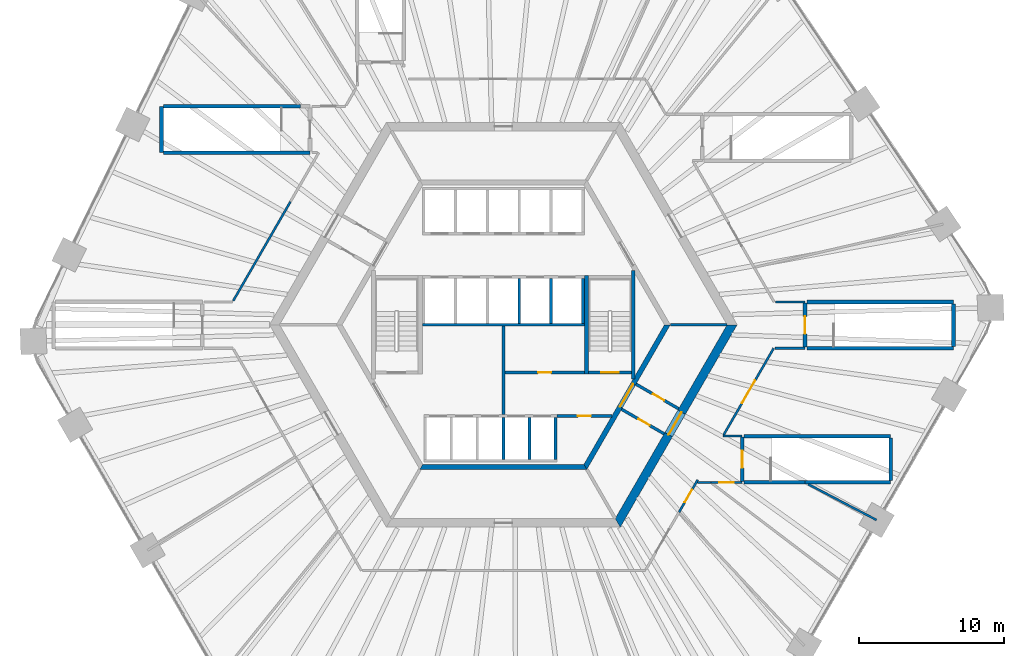
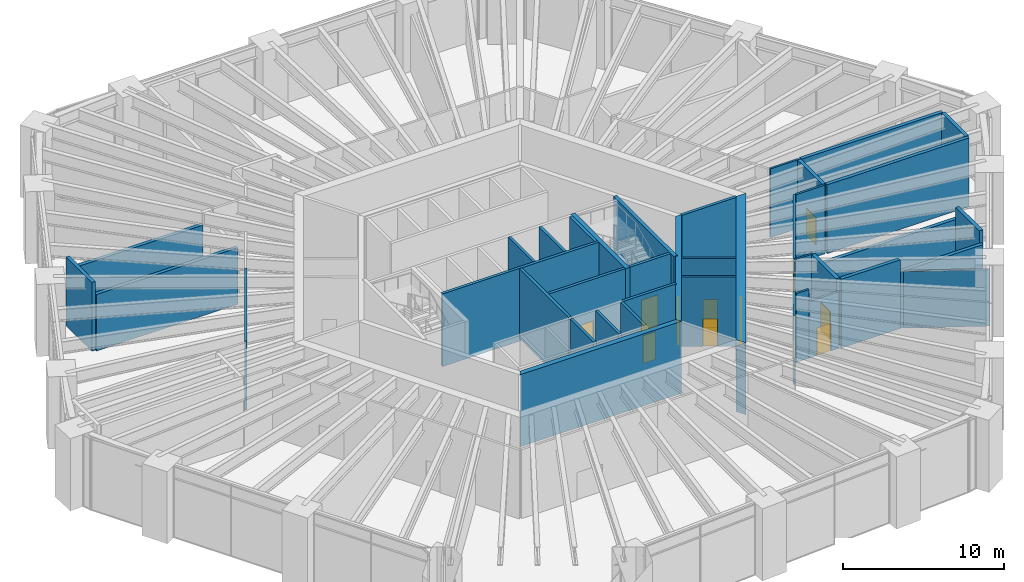
# One storey, part 21 of 25: 40 walls, 12 doors, 12 openings.
"""IFC4 building model written with IfcOpenShell, lengths in metres."""

import ifcopenshell
import ifcopenshell.guid

model = None  # the IFC model being written
_history = None  # IfcOwnerHistory: only IFC2X3 demands one
_inside = {}  # id of a spatial element -> (the spatial element, [elements in it])
_under = {}  # id of a project, library or spatial element -> (it, [spatial elements below it])
_declared = {}  # id of a project -> (the project, [libraries it declares])
_typed = {}  # id of a type object -> (the type object, [elements of that type])
_made_of = {}  # id of a material, layer set ... -> (it, [elements and type objects made of it])


def new_model(schema):
    """Start an empty IFC model of exactly this schema.

    Asked for "IFC4X3", IfcOpenShell would pick the latest addendum, in which some entities
    have other attributes; the version numbers below select the first issue.
    IFC2X3 requires an IfcOwnerHistory on every rooted entity: one is made here for all.
    """
    global model, _history
    if schema == "IFC4X3":
        model = ifcopenshell.file(schema_version=(4, 3, 0, 0))
    else:
        model = ifcopenshell.file(schema=schema)
    _inside.clear()
    _under.clear()
    _declared.clear()
    _typed.clear()
    _made_of.clear()
    _history = None
    if model.schema == "IFC2X3":
        org = make("IfcOrganization", Name="unknown")
        user = make(
            "IfcPersonAndOrganization",
            ThePerson=make("IfcPerson", FamilyName="unknown"),
            TheOrganization=org,
        )
        app = make(
            "IfcApplication",
            ApplicationDeveloper=org,
            Version="unknown",
            ApplicationFullName="unknown",
            ApplicationIdentifier="unknown",
        )
        _history = make(
            "IfcOwnerHistory",
            OwningUser=user,
            OwningApplication=app,
            ChangeAction="ADDED",
            CreationDate=0,
        )
    return model


def make(cls, **values):
    """One entity of the class cls with the attributes given. An attribute that is None is left unset."""
    return model.create_entity(
        cls, **{name: value for name, value in values.items() if value is not None}
    )


def rooted(cls, **values):
    """An entity with a GlobalId (a new one), such as an element, a storey or a relation."""
    return make(cls, GlobalId=ifcopenshell.guid.new(), OwnerHistory=_history, **values)


def si_unit(unit_type, name, prefix=None):
    """IfcSIUnit, for example si_unit("LENGTHUNIT", "METRE", prefix="MILLI")."""
    return make("IfcSIUnit", UnitType=unit_type, Prefix=prefix, Name=name)


def assignment(units):
    """IfcUnitAssignment: the units of a project."""
    return None if units is None else make("IfcUnitAssignment", Units=units)


def point(xyz):
    """IfcCartesianPoint."""
    return None if xyz is None else make("IfcCartesianPoint", Coordinates=xyz)


def direction(xyz):
    """IfcDirection."""
    return None if xyz is None else make("IfcDirection", DirectionRatios=xyz)


def frame(location, z_axis=None, x_axis=None):
    """IfcAxis2Placement3D, a coordinate frame: its origin and axes. An axis left out is left unset."""
    return make(
        "IfcAxis2Placement3D",
        Location=point(location),
        Axis=direction(z_axis),
        RefDirection=direction(x_axis),
    )


def frame_2d(location, x_axis=None):
    """IfcAxis2Placement2D, a coordinate frame in the plane: its origin and x axis."""
    return make(
        "IfcAxis2Placement2D", Location=point(location), RefDirection=direction(x_axis)
    )


def origin():
    """The frame at (0, 0, 0) with its axes left unset."""
    return frame((0.0, 0.0, 0.0))


def place(relative_to, where):
    """IfcLocalPlacement: puts the frame where relative to a parent placement (None: the world)."""
    return make(
        "IfcLocalPlacement", PlacementRelTo=relative_to, RelativePlacement=where
    )


def context(
    kind, dimensions, precision=None, world=None, true_north=None, identifier=None
):
    """IfcGeometricRepresentationContext, for example the 3D "Model" context."""
    return make(
        "IfcGeometricRepresentationContext",
        ContextIdentifier=identifier,
        ContextType=kind,
        CoordinateSpaceDimension=dimensions,
        Precision=precision,
        WorldCoordinateSystem=world,
        TrueNorth=true_north,
    )


def subcontext(parent, identifier, kind, view, scale=None):
    """IfcGeometricRepresentationSubContext, for example "Body" below "Model"."""
    return make(
        "IfcGeometricRepresentationSubContext",
        ContextIdentifier=identifier,
        ContextType=kind,
        ParentContext=parent,
        TargetScale=scale,
        TargetView=view,
    )


def project(units=None, contexts=None):
    """IfcProject with its units and contexts."""
    return rooted(
        "IfcProject",
        Name="project",
        RepresentationContexts=contexts,
        UnitsInContext=assignment(units),
    )


def spatial(cls, under=None, at=None, **own):
    """A site, building, storey or space (cls), placed at a placement, below another one or the project."""
    s = rooted(cls, ObjectPlacement=at, **own)
    if under is not None:
        _under.setdefault(under.id(), (under, []))[1].append(s)
    return s


def polyline(points):
    """IfcPolyline through the points."""
    return make("IfcPolyline", Points=[point(p) for p in points])


def profile(cls, at=None, kind="AREA", **sizes):
    """A parametric profile (cls). Its sizes go by their IFC names, for example OverallWidth=200.0."""
    return make(cls, ProfileType=kind, Position=at, **sizes)


def rectangle(**sizes):
    """IfcRectangleProfileDef."""
    return profile("IfcRectangleProfileDef", **sizes)


def outline(outer, holes=None, kind="AREA"):
    """IfcArbitraryClosedProfileDef: a profile drawn as a closed curve; with holes, ...WithVoids."""
    if holes is None:
        return make("IfcArbitraryClosedProfileDef", ProfileType=kind, OuterCurve=outer)
    return make(
        "IfcArbitraryProfileDefWithVoids",
        ProfileType=kind,
        OuterCurve=outer,
        InnerCurves=holes,
    )


def extrude(swept, where, along, depth):
    """IfcExtrudedAreaSolid: the profile swept, set in the frame where, extruded along a direction by depth."""
    return make(
        "IfcExtrudedAreaSolid",
        SweptArea=swept,
        Position=where,
        ExtrudedDirection=direction(along),
        Depth=depth,
    )


def shape(context_of_items, identifier, shape_type, items):
    """IfcShapeRepresentation: the items that make up one representation, for example the "Body"."""
    return make(
        "IfcShapeRepresentation",
        ContextOfItems=context_of_items,
        RepresentationIdentifier=identifier,
        RepresentationType=shape_type,
        Items=items,
    )


def material(Name=None, Category=None):
    """IfcMaterial."""
    return make("IfcMaterial", Name=Name, Category=Category)


def layer(
    of_material, thickness, ventilated=None, Name=None, Category=None, Priority=None
):
    """IfcMaterialLayer: one layer of a wall or slab, of a material (None: an air gap)."""
    return make(
        "IfcMaterialLayer",
        Material=of_material,
        LayerThickness=thickness,
        IsVentilated=ventilated,
        Name=Name,
        Category=Category,
        Priority=Priority,
    )


def layer_set(layers, Name=None):
    """IfcMaterialLayerSet."""
    return make("IfcMaterialLayerSet", MaterialLayers=layers, LayerSetName=Name)


def made_of(thing, what):
    """Note that an element or type object is made of a material, layer set ...; save() writes the relation."""
    if what is not None:
        _made_of.setdefault(what.id(), (what, []))[1].append(thing)
    return thing


def type_object(cls, material=None, **own):
    """A type object (cls), such as IfcWallType, which elements share."""
    return made_of(rooted(cls, **own), material)


def element(
    cls,
    number,
    at=None,
    inside=None,
    cuts=None,
    type_object=None,
    material=None,
    context=None,
    identifier="Body",
    shape_type=None,
    held_by="IfcProductDefinitionShape",
    body=None,
    shapes=None,
    **own,
):
    """One element of the class cls, such as IfcWall. Its Tag is "e" and its number.

    at: its placement. inside: the storey or other place that contains it. cuts: it is an
    opening in that element (IfcRelVoidsElement). A single representation is given by context,
    identifier, shape_type and body (its items); several are given by shapes. held_by: the class
    of the entity that holds the representations. save() writes the other relations.
    """
    e = rooted(cls, Tag="e%d" % number, ObjectPlacement=at, **own)
    if body is not None:
        shapes = [shape(context, identifier, shape_type, body)]
    if shapes is not None:
        e.Representation = make(held_by, Representations=shapes)
    if inside is not None:
        _inside.setdefault(inside.id(), (inside, []))[1].append(e)
    if cuts is not None:
        rooted(
            "IfcRelVoidsElement", RelatingBuildingElement=cuts, RelatedOpeningElement=e
        )
    if type_object is not None:
        _typed.setdefault(type_object.id(), (type_object, []))[1].append(e)
    return made_of(e, material)


def fill(opening, filler):
    """IfcRelFillsElement: the door or window that sits in an opening."""
    return rooted(
        "IfcRelFillsElement",
        RelatingOpeningElement=opening,
        RelatedBuildingElement=filler,
    )


def aggregate(whole, parts):
    """IfcRelAggregates: a whole, such as a stair, and the parts it consists of."""
    return rooted("IfcRelAggregates", RelatingObject=whole, RelatedObjects=parts)


def save(model, path):
    """Write the relations noted so far, then the file.

    IfcRelAggregates (storeys below a building ...), IfcRelContainedInSpatialStructure (elements
    in a storey), IfcRelDefinesByType, IfcRelAssociatesMaterial and IfcRelDeclares: one each for
    every whole, place, type object, material and project.
    """
    for whole, parts in _under.values():
        aggregate(whole, parts)
    for where, things in _inside.values():
        rooted(
            "IfcRelContainedInSpatialStructure",
            RelatedElements=things,
            RelatingStructure=where,
        )
    for kind, things in _typed.values():
        rooted("IfcRelDefinesByType", RelatedObjects=things, RelatingType=kind)
    for what, things in _made_of.values():
        rooted("IfcRelAssociatesMaterial", RelatedObjects=things, RelatingMaterial=what)
    for by, libraries in _declared.values():
        rooted("IfcRelDeclares", RelatingContext=by, RelatedDefinitions=libraries)
    model.write(path)


model = new_model("IFC4")

# Units and contexts
model_context = context("Model", 3, precision=1e-05, world=origin(), true_north=direction((0.0, 1.0)))
body_context = subcontext(model_context, "Body", "Model", "MODEL_VIEW")
ifc_project = project(units=[si_unit("LENGTHUNIT", "METRE"), si_unit("AREAUNIT", "SQUARE_METRE"), si_unit("VOLUMEUNIT", "CUBIC_METRE"), si_unit("PLANEANGLEUNIT", "RADIAN"), si_unit("MASSUNIT", "GRAM", prefix="KILO")], contexts=[model_context])

# Site, building, storey
site_placement = place(None, origin())
site = spatial("IfcSite", under=ifc_project, at=site_placement, CompositionType="ELEMENT")
building_placement = place(site_placement, origin())
building = spatial("IfcBuilding", under=site, at=building_placement, Name="Tarnside Tower", CompositionType="ELEMENT")
storey_placement = place(building_placement, frame((0.0, 0.0, 26.0)))
storey = spatial("IfcBuildingStorey", under=building, at=storey_placement, Name="L04", CompositionType="ELEMENT", Elevation=26.0)

# Wall
ifc_material_1 = material(Name="Concrete C50/60", Category="concrete")
ifc_layer_1 = layer(ifc_material_1, 0.35009765625)
ifc_layer_set_1 = layer_set([ifc_layer_1], Name="Core block wall 350 C50/60")
wall_type_1 = type_object("IfcWallType", Name="Core block wall 350 C50/60", PredefinedType="SHEAR", material=ifc_layer_set_1)
wall_1_placement = place(storey_placement, frame((-5.672607421875, -9.824951171875, -0.25), z_axis=(0.0, 0.0, 1.0), x_axis=(1.0, 0.0, 0.0)))
element("IfcWall", 1, at=wall_1_placement, inside=storey, type_object=wall_type_1, Name="L04 core block wall face 4", PredefinedType="SHEAR", context=body_context, shape_type="SweptSolid", body=[
    extrude(outline(polyline([(-0.10107421875, -0.175048828125), (11.4462890625, -0.175048828125), (11.244140625, 0.175048828125), (0.10107421875, 0.175048828125), (-0.10107421875, -0.175048828125)])), origin(), (0.0, 0.0, 1.0), 5.449951171875),
])

# Wall, opening, door
wall_2_placement = place(storey_placement, frame((5.672607421875, -9.824951171875, -0.25), z_axis=(0.0, 0.0, 1.0), x_axis=(0.499995046907, 0.866028263435, 0.0)))
wall_2 = element("IfcWall", 2, at=wall_2_placement, inside=storey, type_object=wall_type_1, Name="L04 core block wall face 5", PredefinedType="SHEAR", context=body_context, shape_type="SweptSolid", body=[
    extrude(outline(polyline([(-0.10107421875, -0.175048828125), (11.44580078125, -0.175048828125), (11.24365234375, 0.175048828125), (0.10107421875, 0.175048828125), (-0.10107421875, -0.175048828125)])), origin(), (0.0, 0.0, 1.0), 5.449951171875),
])
opening_1_placement = place(wall_2_placement, frame((4.80126953125, 0.0, 0.25)))
opening_1 = element("IfcOpeningElement", 3, at=opening_1_placement, cuts=wall_2, Name="Opening CD-FFL", PredefinedType="OPENING", context=body_context, shape_type="SweptSolid", body=[
    extrude(rectangle(XDim=1.800048828125, YDim=2.39990234375, at=frame_2d((0.89990234375, 1.199951171875))), frame((0.0, 0.18505859375, 0.0), z_axis=(0.0, -1.0, 0.0), x_axis=(1.0, 0.0, 0.0)), (0.0, 0.0, 1.0), 0.3701171875),
])
ifc_material_2 = material(Name="Steel fire door", Category="steel")
door_type_1 = type_object("IfcDoorType", Name="Firefighting lobby double door FD60S 1800x2400", OperationType="NOTDEFINED", PredefinedType="DOOR", material=ifc_material_2)
door_1_placement = place(opening_1_placement, origin())
door_1 = element("IfcDoor", 4, at=door_1_placement, inside=storey, type_object=door_type_1, Name="L04 lobby block door P4", OperationType="DOUBLE_DOOR_SINGLE_SWING", OverallHeight=2.39990234375, OverallWidth=1.800048828125, PredefinedType="DOOR", context=body_context, shape_type="SweptSolid", body=[
    extrude(rectangle(XDim=1.800048828125, YDim=2.39990234375, at=frame_2d((0.89990234375, 1.199951171875))), frame((0.0, 0.02490234375, 0.0), z_axis=(0.0, -1.0, 0.0), x_axis=(1.0, 0.0, 0.0)), (0.0, 0.0, 1.0), 0.050048828125),
])
fill(opening_1, door_1)

ifc_material_3 = material(Name="Concrete C40/50", Category="concrete")
ifc_layer_2 = layer(ifc_material_3, 0.199951171875)
ifc_layer_set_2 = layer_set([ifc_layer_2], Name="Core room partition 200 C40/50")
wall_type_2 = type_object("IfcWallType", Name="Core room partition 200 C40/50", PredefinedType="PARTITIONING", material=ifc_layer_set_2)
wall_3_placement = place(storey_placement, frame((0.10009765625, -3.300048828125, 0.0), z_axis=(0.0, 0.0, 1.0), x_axis=(1.0, 0.0, 0.0)))
wall_3 = element("IfcWall", 5, at=wall_3_placement, inside=storey, type_object=wall_type_2, Name="L04 core partition R3S1", PredefinedType="PARTITIONING", context=body_context, shape_type="SweptSolid", body=[
    extrude(rectangle(XDim=5.5, YDim=0.199951171875, at=frame_2d((2.75, 0.0))), origin(), (0.0, 0.0, 1.0), 5.25),
])
opening_2_placement = place(wall_3_placement, frame((2.300048828125, 0.0, 0.0)))
opening_2 = element("IfcOpeningElement", 6, at=opening_2_placement, cuts=wall_3, Name="Opening CD-room", PredefinedType="OPENING", context=body_context, shape_type="SweptSolid", body=[
    extrude(rectangle(XDim=0.89990234375, YDim=2.10009765625, at=frame_2d((0.449951171875, 1.050048828125))), frame((0.0, 0.10986328125, 0.0), z_axis=(0.0, -1.0, 0.0), x_axis=(1.0, 0.0, 0.0)), (0.0, 0.0, 1.0), 0.219970703125),
])
door_type_2 = type_object("IfcDoorType", Name="Room door FD60 900x2100", OperationType="NOTDEFINED", PredefinedType="DOOR", material=ifc_material_2)
door_2_placement = place(opening_2_placement, origin())
door_2 = element("IfcDoor", 7, at=door_2_placement, inside=storey, type_object=door_type_2, Name="L04 core room door SR1", OperationType="SINGLE_SWING_LEFT", OverallHeight=2.10009765625, OverallWidth=0.89990234375, PredefinedType="DOOR", context=body_context, shape_type="SweptSolid", body=[
    extrude(rectangle(XDim=0.89990234375, YDim=2.10009765625, at=frame_2d((0.449951171875, 1.050048828125))), frame((0.0, 0.02490234375, 0.0), z_axis=(0.0, -1.0, 0.0), x_axis=(1.0, 0.0, 0.0)), (0.0, 0.0, 1.0), 0.050048828125),
])
fill(opening_2, door_2)

# Wall
wall_4_placement = place(storey_placement, frame((0.0, -6.199951171875, 0.0), z_axis=(0.0, 0.0, 1.0), x_axis=(0.0, 1.0, 0.0)))
element("IfcWall", 8, at=wall_4_placement, inside=storey, type_object=wall_type_2, Name="L04 core partition X0", PredefinedType="PARTITIONING", context=body_context, shape_type="SweptSolid", body=[
    extrude(rectangle(XDim=6.099853515625, YDim=0.199951171875, at=frame_2d((3.0498046875, 0.0))), origin(), (0.0, 0.0, 1.0), 5.25),
])

# Wall, opening, door
wall_5_placement = place(storey_placement, frame((3.699951171875, -6.300048828125, 0.0), z_axis=(0.0, 0.0, 1.0), x_axis=(1.0, 0.0, 0.0)))
wall_5 = element("IfcWall", 9, at=wall_5_placement, inside=storey, type_object=wall_type_2, Name="L04 core partition R4X", PredefinedType="PARTITIONING", context=body_context, shape_type="SweptSolid", body=[
    extrude(rectangle(XDim=3.8056640625, YDim=0.199951171875, at=frame_2d((1.90283203125, 0.0))), origin(), (0.0, 0.0, 1.0), 5.25),
])
opening_3_placement = place(wall_5_placement, frame((1.452880859375, 0.0, 0.0)))
opening_3 = element("IfcOpeningElement", 10, at=opening_3_placement, cuts=wall_5, Name="Opening CD-room", PredefinedType="OPENING", context=body_context, shape_type="SweptSolid", body=[
    extrude(rectangle(XDim=0.89990234375, YDim=2.10009765625, at=frame_2d((0.449951171875, 1.050048828125))), frame((0.0, 0.10986328125, 0.0), z_axis=(0.0, -1.0, 0.0), x_axis=(1.0, 0.0, 0.0)), (0.0, 0.0, 1.0), 0.219970703125),
])
door_3_placement = place(opening_3_placement, origin())
door_3 = element("IfcDoor", 11, at=door_3_placement, inside=storey, type_object=door_type_2, Name="L04 core room door RX", OperationType="SINGLE_SWING_LEFT", OverallHeight=2.10009765625, OverallWidth=0.89990234375, PredefinedType="DOOR", context=body_context, shape_type="SweptSolid", body=[
    extrude(rectangle(XDim=0.89990234375, YDim=2.10009765625, at=frame_2d((0.449951171875, 1.050048828125))), frame((0.0, 0.02490234375, 0.0), z_axis=(0.0, -1.0, 0.0), x_axis=(1.0, 0.0, 0.0)), (0.0, 0.0, 1.0), 0.050048828125),
])
fill(opening_3, door_3)

wall_6_placement = place(storey_placement, frame((9.1748046875, -4.10888671875, 0.0), z_axis=(0.0, 0.0, 1.0), x_axis=(0.865989465428, -0.500062241894, 0.0)))
wall_6 = element("IfcWall", 12, at=wall_6_placement, inside=storey, type_object=wall_type_2, Name="L04 core partition AC4L", PredefinedType="PARTITIONING", context=body_context, shape_type="SweptSolid", body=[
    extrude(rectangle(XDim=3.39990234375, YDim=0.199951171875, at=frame_2d((1.699951171875, 0.0))), origin(), (0.0, 0.0, 1.0), 5.25),
])
opening_4_placement = place(wall_6_placement, frame((1.3505859375, 0.0, 0.0)))
opening_4 = element("IfcOpeningElement", 13, at=opening_4_placement, cuts=wall_6, Name="Opening CD-room", PredefinedType="OPENING", context=body_context, shape_type="SweptSolid", body=[
    extrude(rectangle(XDim=0.89990234375, YDim=2.10009765625, at=frame_2d((0.449951171875, 1.050048828125))), frame((0.0, 0.10986328125, 0.0), z_axis=(0.0, -1.0, 0.0), x_axis=(1.0, 0.0, 0.0)), (0.0, 0.0, 1.0), 0.219970703125),
])
door_4_placement = place(opening_4_placement, origin())
door_4 = element("IfcDoor", 14, at=door_4_placement, inside=storey, type_object=door_type_2, Name="L04 core room door AX4L", OperationType="SINGLE_SWING_LEFT", OverallHeight=2.10009765625, OverallWidth=0.89990234375, PredefinedType="DOOR", context=body_context, shape_type="SweptSolid", body=[
    extrude(rectangle(XDim=0.89990234375, YDim=2.10009765625, at=frame_2d((0.449951171875, 1.050048828125))), frame((0.0, 0.02490234375, 0.0), z_axis=(0.0, -1.0, 0.0), x_axis=(1.0, 0.0, 0.0)), (0.0, 0.0, 1.0), 0.050048828125),
])
fill(opening_4, door_4)

wall_7_placement = place(storey_placement, frame((8.1748046875, -5.841064453125, 0.0), z_axis=(0.0, 0.0, 1.0), x_axis=(0.866020560687, -0.500008388397, 0.0)))
wall_7 = element("IfcWall", 15, at=wall_7_placement, inside=storey, type_object=wall_type_2, Name="L04 core partition AC4R", PredefinedType="PARTITIONING", context=body_context, shape_type="SweptSolid", body=[
    extrude(rectangle(XDim=3.39990234375, YDim=0.199951171875, at=frame_2d((1.699951171875, 0.0))), origin(), (0.0, 0.0, 1.0), 5.25),
])
opening_5_placement = place(wall_7_placement, frame((1.349609375, 0.0, 0.0)))
opening_5 = element("IfcOpeningElement", 16, at=opening_5_placement, cuts=wall_7, Name="Opening CD-room", PredefinedType="OPENING", context=body_context, shape_type="SweptSolid", body=[
    extrude(rectangle(XDim=0.89990234375, YDim=2.10009765625, at=frame_2d((0.449951171875, 1.050048828125))), frame((0.0, 0.10986328125, 0.0), z_axis=(0.0, -1.0, 0.0), x_axis=(1.0, 0.0, 0.0)), (0.0, 0.0, 1.0), 0.219970703125),
])
door_5_placement = place(opening_5_placement, origin())
door_5 = element("IfcDoor", 17, at=door_5_placement, inside=storey, type_object=door_type_2, Name="L04 core room door AX4R", OperationType="SINGLE_SWING_LEFT", OverallHeight=2.10009765625, OverallWidth=0.89990234375, PredefinedType="DOOR", context=body_context, shape_type="SweptSolid", body=[
    extrude(rectangle(XDim=0.89990234375, YDim=2.10009765625, at=frame_2d((0.449951171875, 1.050048828125))), frame((0.0, 0.02490234375, 0.0), z_axis=(0.0, -1.0, 0.0), x_axis=(1.0, 0.0, 0.0)), (0.0, 0.0, 1.0), 0.050048828125),
])
fill(opening_5, door_5)

ifc_material_4 = material(Name="Concrete C80/95", Category="concrete")
ifc_layer_3 = layer(ifc_material_4, 0.60009765625)
ifc_layer_set_3 = layer_set([ifc_layer_3], Name="Core wall Z1 600 C80/95")
wall_type_3 = type_object("IfcWallType", Name="Core wall Z1 600 C80/95", PredefinedType="SHEAR", material=ifc_layer_set_3)
wall_8_placement = place(storey_placement, frame((7.90966796875, -13.699951171875, -0.25), z_axis=(0.0, 0.0, 1.0), x_axis=(0.499999880136, 0.866025472988, 0.0)))
wall_8 = element("IfcWall", 18, at=wall_8_placement, inside=storey, type_object=wall_type_3, Name="L04 core wall face 5", PredefinedType="SHEAR", context=body_context, shape_type="SweptSolid", body=[
    extrude(outline(polyline([(-0.17333984375, -0.300048828125), (15.99267578125, -0.300048828125), (15.64599609375, 0.300048828125), (0.17333984375, 0.300048828125), (-0.17333984375, -0.300048828125)])), origin(), (0.0, 0.0, 1.0), 5.449951171875),
])
opening_6_placement = place(wall_8_placement, frame((7.03857421875, 0.0, 0.25)))
opening_6 = element("IfcOpeningElement", 19, at=opening_6_placement, cuts=wall_8, Name="Opening CD-FFL", PredefinedType="OPENING", context=body_context, shape_type="SweptSolid", body=[
    extrude(rectangle(XDim=1.800048828125, YDim=2.39990234375, at=frame_2d((0.89990234375, 1.199951171875))), frame((0.0, 0.31005859375, 0.0), z_axis=(0.0, -1.0, 0.0), x_axis=(1.0, 0.0, 0.0)), (0.0, 0.0, 1.0), 0.6201171875),
])
door_6_placement = place(opening_6_placement, origin())
door_6 = element("IfcDoor", 20, at=door_6_placement, inside=storey, type_object=door_type_1, Name="L04 core door P4", OperationType="DOUBLE_DOOR_SINGLE_SWING", OverallHeight=2.39990234375, OverallWidth=1.800048828125, PredefinedType="DOOR", context=body_context, shape_type="SweptSolid", body=[
    extrude(rectangle(XDim=1.800048828125, YDim=2.39990234375, at=frame_2d((0.89990234375, 1.199951171875))), frame((0.0, 0.02490234375, 0.0), z_axis=(0.0, -1.0, 0.0), x_axis=(1.0, 0.0, 0.0)), (0.0, 0.0, 1.0), 0.050048828125),
])
fill(opening_6, door_6)

# Walls
ifc_layer_4 = layer(ifc_material_3, 0.199951171875)
ifc_layer_set_4 = layer_set([ifc_layer_4], Name="Lift shaft wall 200 C40/50")
wall_type_4 = type_object("IfcWallType", Name="Lift shaft wall 200 C40/50", PredefinedType="SHEAR", material=ifc_layer_set_4)
wall_9_placement = place(storey_placement, frame((-5.60009765625, 0.0, -0.25), z_axis=(0.0, 0.0, 1.0), x_axis=(1.0, 0.0, 0.0)))
element("IfcWall", 21, at=wall_9_placement, inside=storey, type_object=wall_type_4, Name="L04 lift shaft back wall R2", PredefinedType="SHEAR", context=body_context, shape_type="SweptSolid", body=[
    extrude(rectangle(XDim=11.2001953125, YDim=0.199951171875, at=frame_2d((5.60009765625, 0.0))), origin(), (0.0, 0.0, 1.0), 5.5),
])
for number, where, z_axis, x_axis, name in (
    (22, (1.10009765625, 0.10009765625, -0.25), (0.0, 0.0, 1.0), (0.0, 1.0, 0.0), "L04 lift shaft partition R24"),
    (23, (3.300048828125, 0.10009765625, -0.25), (0.0, 0.0, 1.0), (0.0, 1.0, 0.0), "L04 lift shaft partition R25"),
    (24, (5.5, 0.10009765625, -0.25), (0.0, 0.0, 1.0), (0.0, 1.0, 0.0), "L04 lift shaft partition R26"),
):
    element("IfcWall", number, at=place(storey_placement, frame(where, z_axis=z_axis, x_axis=x_axis)), inside=storey, type_object=wall_type_4, Name=name, PredefinedType="SHEAR", context=body_context, shape_type="SweptSolid", body=[
        extrude(rectangle(XDim=3.099853515625, YDim=0.199951171875, at=frame_2d((1.5498046875, 0.0))), origin(), (0.0, 0.0, 1.0), 5.5),
    ])
for number, where, z_axis, x_axis, name in (
    (25, (0.0, -9.300048828125, -0.25), (0.0, 0.0, 1.0), (0.0, 1.0, 0.0), "L04 lift shaft partition R44"),
    (26, (1.800048828125, -9.300048828125, -0.25), (0.0, 0.0, 1.0), (0.0, 1.0, 0.0), "L04 lift shaft partition R45"),
    (27, (3.60009765625, -9.300048828125, -0.25), (0.0, 0.0, 1.0), (0.0, 1.0, 0.0), "L04 lift shaft partition R46"),
):
    element("IfcWall", number, at=place(storey_placement, frame(where, z_axis=z_axis, x_axis=x_axis)), inside=storey, type_object=wall_type_4, Name=name, PredefinedType="SHEAR", context=body_context, shape_type="SweptSolid", body=[
        extrude(rectangle(XDim=2.900146484375, YDim=0.199951171875, at=frame_2d((1.4501953125, 0.0))), origin(), (0.0, 0.0, 1.0), 5.5),
    ])
wall_10_placement = place(storey_placement, frame((11.547119140625, 0.0, -0.25), z_axis=(0.0, 0.0, 1.0), x_axis=(1.0, 0.0, 0.0)))
element("IfcWall", 28, at=wall_10_placement, inside=storey, type_object=wall_type_4, Name="L04 core partition AR0", PredefinedType="SHEAR", context=body_context, shape_type="SweptSolid", body=[
    extrude(rectangle(XDim=3.92578125, YDim=0.199951171875, at=frame_2d((1.962890625, 0.0))), origin(), (0.0, 0.0, 1.0), 5.449951171875),
])

# Wall, opening, door
wall_11_placement = place(storey_placement, frame((5.89990234375, -3.300048828125, -0.25), z_axis=(0.0, 0.0, 1.0), x_axis=(1.0, 0.0, 0.0)))
wall_11 = element("IfcWall", 29, at=wall_11_placement, inside=storey, type_object=wall_type_4, Name="L04 stair 1 enclosure cap wall s", PredefinedType="SHEAR", context=body_context, shape_type="SweptSolid", body=[
    extrude(rectangle(XDim=2.9501953125, YDim=0.199951171875, at=frame_2d((1.47509765625, 0.0))), origin(), (0.0, 0.0, 1.0), 5.5),
])
opening_7_placement = place(wall_11_placement, frame((0.875, 0.0, 0.25)))
opening_7 = element("IfcOpeningElement", 30, at=opening_7_placement, cuts=wall_11, Name="Opening CD-STR", PredefinedType="OPENING", context=body_context, shape_type="SweptSolid", body=[
    extrude(rectangle(XDim=1.199951171875, YDim=2.39990234375, at=frame_2d((0.60009765625, 1.199951171875))), frame((0.0, 0.10986328125, 0.0), z_axis=(0.0, -1.0, 0.0), x_axis=(1.0, 0.0, 0.0)), (0.0, 0.0, 1.0), 0.219970703125),
])
door_type_3 = type_object("IfcDoorType", Name="Stair door FD60S 1200x2400", OperationType="NOTDEFINED", PredefinedType="DOOR", material=ifc_material_2)
door_7_placement = place(opening_7_placement, origin())
door_7 = element("IfcDoor", 31, at=door_7_placement, inside=storey, type_object=door_type_3, Name="L04 stair 1 door", OperationType="SINGLE_SWING_LEFT", OverallHeight=2.39990234375, OverallWidth=1.199951171875, PredefinedType="DOOR", context=body_context, shape_type="SweptSolid", body=[
    extrude(rectangle(XDim=1.199951171875, YDim=2.39990234375, at=frame_2d((0.60009765625, 1.199951171875))), frame((0.0, 0.02490234375, 0.0), z_axis=(0.0, -1.0, 0.0), x_axis=(1.0, 0.0, 0.0)), (0.0, 0.0, 1.0), 0.050048828125),
])
fill(opening_7, door_7)

# Wall
ifc_material_5 = material(Name="Gypsum board")
ifc_layer_5 = layer(ifc_material_5, 0.14990234375)
ifc_layer_set_5 = layer_set([ifc_layer_5], Name="Partition 150 gypsum board on metal stud")
wall_type_5 = type_object("IfcWallType", Name="Partition 150 gypsum board on metal stud", PredefinedType="PARTITIONING", material=ifc_layer_set_5)
wall_12_placement = place(storey_placement, frame((-14.722900390625, 8.5, 0.0), z_axis=(0.0, 0.0, 1.0), x_axis=(-0.499993197506, -0.86602933117, 0.0)))
element("IfcWall", 32, at=wall_12_placement, inside=storey, type_object=wall_type_5, Name="Partition 013", PredefinedType="PARTITIONING", context=body_context, shape_type="SweptSolid", body=[
    extrude(rectangle(XDim=7.90966796875, YDim=0.14990234375, at=frame_2d((3.954833984375, 0.0))), origin(), (0.0, 0.0, 1.0), 5.199951171875),
])

# Wall, opening, door
wall_13_placement = place(storey_placement, frame((13.43994140625, -10.720947265625, 0.0), z_axis=(0.0, 0.0, 1.0), x_axis=(-0.499959617396, -0.866048717436, 0.0)))
wall_13 = element("IfcWall", 33, at=wall_13_placement, inside=storey, type_object=wall_type_5, Name="Partition 044", PredefinedType="PARTITIONING", context=body_context, shape_type="SweptSolid", body=[
    extrude(rectangle(XDim=2.584228515625, YDim=0.14990234375, at=frame_2d((1.2919921875, 0.0))), origin(), (0.0, 0.0, 1.0), 5.199951171875),
])
opening_8_placement = place(wall_13_placement, frame((0.7919921875, 0.0, 0.0)))
opening_8 = element("IfcOpeningElement", 34, at=opening_8_placement, cuts=wall_13, Name="Opening D1000", PredefinedType="OPENING", context=body_context, shape_type="SweptSolid", body=[
    extrude(rectangle(XDim=1.0, YDim=2.10009765625, at=frame_2d((0.5, 1.050048828125))), frame((0.0, 0.0849609375, 0.0), z_axis=(0.0, -1.0, 0.0), x_axis=(1.0, 0.0, 0.0)), (0.0, 0.0, 1.0), 0.169921875),
])
ifc_material_6 = material(Name="Timber door leaf", Category="wood")
door_type_4 = type_object("IfcDoorType", Name="Door 1000 x 2100 single leaf", OperationType="NOTDEFINED", PredefinedType="DOOR", material=ifc_material_6)
door_8_placement = place(opening_8_placement, origin())
door_8 = element("IfcDoor", 35, at=door_8_placement, inside=storey, type_object=door_type_4, Name="Door L04-14", OperationType="SINGLE_SWING_LEFT", OverallHeight=2.10009765625, OverallWidth=1.0, PredefinedType="DOOR", context=body_context, shape_type="SweptSolid", body=[
    extrude(rectangle(XDim=1.0, YDim=2.10009765625, at=frame_2d((0.5, 1.050048828125))), frame((0.0, 0.02490234375, 0.0), z_axis=(0.0, -1.0, 0.0), x_axis=(1.0, 0.0, 0.0)), (0.0, 0.0, 1.0), 0.050048828125),
])
fill(opening_8, door_8)

# Walls
wall_14_placement = place(storey_placement, frame((14.360107421875, -10.89990234375, 0.0), z_axis=(0.0, 0.0, 1.0), x_axis=(-1.0, 0.0, 0.0)))
element("IfcWall", 36, at=wall_14_placement, inside=storey, type_object=wall_type_5, Name="Partition 049", PredefinedType="PARTITIONING", context=body_context, shape_type="SweptSolid", body=[
    extrude(rectangle(XDim=0.920166015625, YDim=0.14990234375, at=frame_2d((0.4599609375, 0.0))), origin(), (0.0, 0.0, 1.0), 5.199951171875),
])
wall_15_placement = place(storey_placement, frame((15.18408203125, -7.699951171875, 0.0), z_axis=(0.0, 0.0, 1.0), x_axis=(1.0, 0.0, 0.0)))
element("IfcWall", 37, at=wall_15_placement, inside=storey, type_object=wall_type_5, Name="Partition 051", PredefinedType="PARTITIONING", context=body_context, shape_type="SweptSolid", body=[
    extrude(rectangle(XDim=1.330810546875, YDim=0.14990234375, at=frame_2d((0.66552734375, 0.0))), origin(), (0.0, 0.0, 1.0), 5.199951171875),
])

# Wall, opening, door
wall_16_placement = place(storey_placement, frame((18.69189453125, -1.625, 0.0), z_axis=(0.0, 0.0, 1.0), x_axis=(-0.500053906551, -0.865994278585, 0.0)))
wall_16 = element("IfcWall", 38, at=wall_16_placement, inside=storey, type_object=wall_type_5, Name="Partition 052", PredefinedType="PARTITIONING", context=body_context, shape_type="SweptSolid", body=[
    extrude(rectangle(XDim=6.928466796875, YDim=0.14990234375, at=frame_2d((3.46435546875, 0.0))), origin(), (0.0, 0.0, 1.0), 5.199951171875),
])
opening_9_placement = place(wall_16_placement, frame((2.564208984375, 0.0, 0.0)))
opening_9 = element("IfcOpeningElement", 39, at=opening_9_placement, cuts=wall_16, Name="Opening D1800F30", PredefinedType="OPENING", context=body_context, shape_type="SweptSolid", body=[
    extrude(rectangle(XDim=1.800048828125, YDim=2.10009765625, at=frame_2d((0.89990234375, 1.050048828125))), frame((0.0, 0.0849609375, 0.0), z_axis=(0.0, -1.0, 0.0), x_axis=(1.0, 0.0, 0.0)), (0.0, 0.0, 1.0), 0.169921875),
])
door_type_5 = type_object("IfcDoorType", Name="Door pair 1800 x 2100 FD30S fire door", OperationType="NOTDEFINED", PredefinedType="DOOR", material=ifc_material_6)
door_9_placement = place(opening_9_placement, origin())
door_9 = element("IfcDoor", 40, at=door_9_placement, inside=storey, type_object=door_type_5, Name="Door L04-16", OperationType="DOUBLE_DOOR_SINGLE_SWING", OverallHeight=2.10009765625, OverallWidth=1.800048828125, PredefinedType="DOOR", context=body_context, shape_type="SweptSolid", body=[
    extrude(rectangle(XDim=1.800048828125, YDim=2.10009765625, at=frame_2d((0.89990234375, 1.050048828125))), frame((0.0, 0.02490234375, 0.0), z_axis=(0.0, -1.0, 0.0), x_axis=(1.0, 0.0, 0.0)), (0.0, 0.0, 1.0), 0.050048828125),
])
fill(opening_9, door_9)

wall_17_placement = place(storey_placement, frame((16.514892578125, -10.89990234375, 0.0), z_axis=(0.0, 0.0, 1.0), x_axis=(-1.0, 0.0, 0.0)))
wall_17 = element("IfcWall", 41, at=wall_17_placement, inside=storey, type_object=wall_type_5, Name="Partition 054", PredefinedType="PARTITIONING", context=body_context, shape_type="SweptSolid", body=[
    extrude(rectangle(XDim=2.180908203125, YDim=0.14990234375, at=frame_2d((1.09033203125, 0.0))), origin(), (0.0, 0.0, 1.0), 4.2734375),
])
opening_10_placement = place(wall_17_placement, frame((0.590576171875, 0.0, 0.0)))
opening_10 = element("IfcOpeningElement", 42, at=opening_10_placement, cuts=wall_17, Name="Opening D1000", PredefinedType="OPENING", context=body_context, shape_type="SweptSolid", body=[
    extrude(rectangle(XDim=1.0, YDim=2.10009765625, at=frame_2d((0.5, 1.050048828125))), frame((0.0, 0.0849609375, 0.0), z_axis=(0.0, -1.0, 0.0), x_axis=(1.0, 0.0, 0.0)), (0.0, 0.0, 1.0), 0.169921875),
])
door_10_placement = place(opening_10_placement, origin())
door_10 = element("IfcDoor", 43, at=door_10_placement, inside=storey, type_object=door_type_4, Name="Door L04-17", OperationType="SINGLE_SWING_RIGHT", OverallHeight=2.10009765625, OverallWidth=1.0, PredefinedType="DOOR", context=body_context, shape_type="SweptSolid", body=[
    extrude(rectangle(XDim=1.0, YDim=2.10009765625, at=frame_2d((0.5, 1.050048828125))), frame((0.0, 0.02490234375, 0.0), z_axis=(0.0, -1.0, 0.0), x_axis=(1.0, 0.0, 0.0)), (0.0, 0.0, 1.0), 0.050048828125),
])
fill(opening_10, door_10)

# Walls
wall_18_placement = place(storey_placement, frame((18.8076171875, 1.574951171875, 0.0), z_axis=(0.0, 0.0, 1.0), x_axis=(1.0, 0.0, 0.0)))
element("IfcWall", 44, at=wall_18_placement, inside=storey, type_object=wall_type_5, Name="Partition 059", PredefinedType="PARTITIONING", context=body_context, shape_type="SweptSolid", body=[
    extrude(rectangle(XDim=2.04736328125, YDim=0.14990234375, at=frame_2d((1.023681640625, 0.0))), origin(), (0.0, 0.0, 1.0), 5.199951171875),
])
wall_19_placement = place(storey_placement, frame((20.85498046875, -1.625, 0.0), z_axis=(0.0, 0.0, 1.0), x_axis=(-1.0, 0.0, 0.0)))
element("IfcWall", 45, at=wall_19_placement, inside=storey, type_object=wall_type_5, Name="Partition 062", PredefinedType="PARTITIONING", context=body_context, shape_type="SweptSolid", body=[
    extrude(rectangle(XDim=2.076416015625, YDim=0.14990234375, at=frame_2d((1.0380859375, 0.0))), origin(), (0.0, 0.0, 1.0), 5.199951171875),
])
wall_20_placement = place(storey_placement, frame((25.806884765625, -13.5009765625, 0.0), z_axis=(0.0, 0.0, 1.0), x_axis=(-0.886067598261, 0.463556049807, 0.0)))
element("IfcWall", 46, at=wall_20_placement, inside=storey, type_object=wall_type_5, Name="Partition 069", PredefinedType="PARTITIONING", context=body_context, shape_type="SweptSolid", body=[
    extrude(rectangle(XDim=5.341552734375, YDim=0.14990234375, at=frame_2d((2.6708984375, 0.0))), origin(), (0.0, 0.0, 1.0), 4.2734375),
])
ifc_layer_6 = layer(ifc_material_3, 0.25)
ifc_layer_set_6 = layer_set([ifc_layer_6], Name="Stair enclosure wall 250 C40/50")
wall_type_6 = type_object("IfcWallType", Name="Stair enclosure wall 250 C40/50", PredefinedType="SHEAR", material=ifc_layer_set_6)
wall_21_placement = place(storey_placement, frame((8.97509765625, -3.7548828125, -0.25), z_axis=(0.0, 0.0, 1.0), x_axis=(0.0, 1.0, 0.0)))
element("IfcWall", 47, at=wall_21_placement, inside=storey, type_object=wall_type_6, Name="L04 stair 1 enclosure wall outer", PredefinedType="SHEAR", context=body_context, shape_type="SweptSolid", body=[
    extrude(rectangle(XDim=7.509765625, YDim=0.25, at=frame_2d((3.7548828125, 0.0))), origin(), (0.0, 0.0, 1.0), 5.5),
])
ifc_layer_7 = layer(ifc_material_3, 0.300048828125)
ifc_layer_set_7 = layer_set([ifc_layer_7], Name="Stair enclosure wall 300 C40/50")
wall_type_7 = type_object("IfcWallType", Name="Stair enclosure wall 300 C40/50", PredefinedType="SHEAR", material=ifc_layer_set_7)
wall_22_placement = place(storey_placement, frame((5.75, -3.39990234375, -0.25), z_axis=(0.0, 0.0, 1.0), x_axis=(0.0, 1.0, 0.0)))
element("IfcWall", 48, at=wall_22_placement, inside=storey, type_object=wall_type_7, Name="L04 stair 1 enclosure wall inner", PredefinedType="SHEAR", context=body_context, shape_type="SweptSolid", body=[
    extrude(rectangle(XDim=6.7998046875, YDim=0.300048828125, at=frame_2d((3.39990234375, 0.0))), origin(), (0.0, 0.0, 1.0), 5.5),
])
ifc_material_7 = material(Name="Concrete C32/40", Category="concrete")
ifc_layer_8 = layer(ifc_material_7, 0.25)
ifc_layer_set_8 = layer_set([ifc_layer_8], Name="Wall 250 reinforced Concrete C32/40")
wall_type_8 = type_object("IfcWallType", Name="Wall 250 reinforced Concrete C32/40", PredefinedType="PARTITIONING", material=ifc_layer_set_8)
wall_23_placement = place(storey_placement, frame((-23.635009765625, 11.89990234375, 0.0), z_axis=(0.0, 0.0, 1.0), x_axis=(0.0, 1.0, 0.0)))
element("IfcWall", 49, at=wall_23_placement, inside=storey, type_object=wall_type_8, Name="Partition 003", PredefinedType="PARTITIONING", context=body_context, shape_type="SweptSolid", body=[
    extrude(rectangle(XDim=3.2001953125, YDim=0.25, at=frame_2d((1.60009765625, 0.0))), origin(), (0.0, 0.0, 1.0), 5.199951171875),
])
wall_24_placement = place(storey_placement, frame((-23.510009765625, 15.10009765625, 0.0), z_axis=(0.0, 0.0, 1.0), x_axis=(1.0, 0.0, 0.0)))
element("IfcWall", 50, at=wall_24_placement, inside=storey, type_object=wall_type_8, Name="Partition 004", PredefinedType="PARTITIONING", context=body_context, shape_type="SweptSolid", body=[
    extrude(rectangle(XDim=9.492919921875, YDim=0.25, at=frame_2d((4.74658203125, 0.0))), origin(), (0.0, 0.0, 1.0), 4.2734375),
])
wall_25_placement = place(storey_placement, frame((-13.364990234375, 11.89990234375, 0.0), z_axis=(0.0, 0.0, 1.0), x_axis=(-1.0, 0.0, 0.0)))
element("IfcWall", 51, at=wall_25_placement, inside=storey, type_object=wall_type_8, Name="Partition 016", PredefinedType="PARTITIONING", context=body_context, shape_type="SweptSolid", body=[
    extrude(rectangle(XDim=10.14501953125, YDim=0.25, at=frame_2d((5.072509765625, 0.0))), origin(), (0.0, 0.0, 1.0), 4.2734375),
])

# Wall, opening, door
wall_26_placement = place(storey_placement, frame((16.514892578125, -10.824951171875, 0.0), z_axis=(0.0, 0.0, 1.0), x_axis=(0.0, 1.0, 0.0)))
wall_26 = element("IfcWall", 52, at=wall_26_placement, inside=storey, type_object=wall_type_8, Name="Partition 055", PredefinedType="PARTITIONING", context=body_context, shape_type="SweptSolid", body=[
    extrude(rectangle(XDim=3.050048828125, YDim=0.25, at=frame_2d((1.52490234375, 0.0))), origin(), (0.0, 0.0, 1.0), 5.199951171875),
])
opening_11_placement = place(wall_26_placement, frame((0.925048828125, 0.0, 0.0)))
opening_11 = element("IfcOpeningElement", 53, at=opening_11_placement, cuts=wall_26, Name="Opening D1200F60S", PredefinedType="OPENING", context=body_context, shape_type="SweptSolid", body=[
    extrude(rectangle(XDim=1.199951171875, YDim=2.10009765625, at=frame_2d((0.60009765625, 1.050048828125))), frame((0.0, 0.135009765625, 0.0), z_axis=(0.0, -1.0, 0.0), x_axis=(1.0, 0.0, 0.0)), (0.0, 0.0, 1.0), 0.27001953125),
])
door_type_6 = type_object("IfcDoorType", Name="Door 1200 x 2100 single leaf FD60S fire door", OperationType="NOTDEFINED", PredefinedType="DOOR", material=ifc_material_6)
door_11_placement = place(opening_11_placement, origin())
door_11 = element("IfcDoor", 54, at=door_11_placement, inside=storey, type_object=door_type_6, Name="Door L04-18", OperationType="SINGLE_SWING_LEFT", OverallHeight=2.10009765625, OverallWidth=1.199951171875, PredefinedType="DOOR", context=body_context, shape_type="SweptSolid", body=[
    extrude(rectangle(XDim=1.199951171875, YDim=2.10009765625, at=frame_2d((0.60009765625, 1.050048828125))), frame((0.0, 0.02490234375, 0.0), z_axis=(0.0, -1.0, 0.0), x_axis=(1.0, 0.0, 0.0)), (0.0, 0.0, 1.0), 0.050048828125),
])
fill(opening_11, door_11)

# Wall
wall_27_placement = place(storey_placement, frame((16.639892578125, -7.699951171875, 0.0), z_axis=(0.0, 0.0, 1.0), x_axis=(1.0, 0.0, 0.0)))
element("IfcWall", 55, at=wall_27_placement, inside=storey, type_object=wall_type_8, Name="Partition 056", PredefinedType="PARTITIONING", context=body_context, shape_type="SweptSolid", body=[
    extrude(rectangle(XDim=10.14501953125, YDim=0.25, at=frame_2d((5.072509765625, 0.0))), origin(), (0.0, 0.0, 1.0), 4.2734375),
])

# Wall, opening, door
wall_28_placement = place(storey_placement, frame((20.85498046875, -1.550048828125, 0.0), z_axis=(0.0, 0.0, 1.0), x_axis=(0.0, 1.0, 0.0)))
wall_28 = element("IfcWall", 56, at=wall_28_placement, inside=storey, type_object=wall_type_8, Name="Partition 063", PredefinedType="PARTITIONING", context=body_context, shape_type="SweptSolid", body=[
    extrude(rectangle(XDim=3.050048828125, YDim=0.25, at=frame_2d((1.52490234375, 0.0))), origin(), (0.0, 0.0, 1.0), 5.199951171875),
])
opening_12_placement = place(wall_28_placement, frame((0.925048828125, 0.0, 0.0)))
opening_12 = element("IfcOpeningElement", 57, at=opening_12_placement, cuts=wall_28, Name="Opening D1200F60S", PredefinedType="OPENING", context=body_context, shape_type="SweptSolid", body=[
    extrude(rectangle(XDim=1.199951171875, YDim=2.10009765625, at=frame_2d((0.60009765625, 1.050048828125))), frame((0.0, 0.135009765625, 0.0), z_axis=(0.0, -1.0, 0.0), x_axis=(1.0, 0.0, 0.0)), (0.0, 0.0, 1.0), 0.27001953125),
])
door_12_placement = place(opening_12_placement, origin())
door_12 = element("IfcDoor", 58, at=door_12_placement, inside=storey, type_object=door_type_6, Name="Door L04-20", OperationType="SINGLE_SWING_LEFT", OverallHeight=2.10009765625, OverallWidth=1.199951171875, PredefinedType="DOOR", context=body_context, shape_type="SweptSolid", body=[
    extrude(rectangle(XDim=1.199951171875, YDim=2.10009765625, at=frame_2d((0.60009765625, 1.050048828125))), frame((0.0, 0.02490234375, 0.0), z_axis=(0.0, -1.0, 0.0), x_axis=(1.0, 0.0, 0.0)), (0.0, 0.0, 1.0), 0.050048828125),
])
fill(opening_12, door_12)

# Walls
wall_29_placement = place(storey_placement, frame((20.97998046875, 1.574951171875, 0.0), z_axis=(0.0, 0.0, 1.0), x_axis=(1.0, 0.0, 0.0)))
element("IfcWall", 59, at=wall_29_placement, inside=storey, type_object=wall_type_8, Name="Partition 064", PredefinedType="PARTITIONING", context=body_context, shape_type="SweptSolid", body=[
    extrude(rectangle(XDim=10.14501953125, YDim=0.25, at=frame_2d((5.072509765625, 0.0))), origin(), (0.0, 0.0, 1.0), 5.199951171875),
])
wall_30_placement = place(storey_placement, frame((20.85595703125, -10.89990234375, 0.0), z_axis=(0.0, 0.0, 1.0), x_axis=(-1.0, 0.0, 0.0)))
element("IfcWall", 60, at=wall_30_placement, inside=storey, type_object=wall_type_8, Name="Partition 065", PredefinedType="PARTITIONING", context=body_context, shape_type="SweptSolid", body=[
    extrude(rectangle(XDim=4.216064453125, YDim=0.25, at=frame_2d((2.10791015625, 0.0))), origin(), (0.0, 0.0, 1.0), 5.199951171875),
])
wall_31_placement = place(storey_placement, frame((26.784912109375, -10.89990234375, 0.0), z_axis=(0.0, 0.0, 1.0), x_axis=(-1.0, 0.0, 0.0)))
element("IfcWall", 61, at=wall_31_placement, inside=storey, type_object=wall_type_8, Name="Partition 070", PredefinedType="PARTITIONING", context=body_context, shape_type="SweptSolid", body=[
    extrude(rectangle(XDim=5.9599609375, YDim=0.25, at=frame_2d((2.97998046875, 0.0))), origin(), (0.0, 0.0, 1.0), 4.2734375),
])
wall_32_placement = place(storey_placement, frame((26.784912109375, -7.824951171875, 0.0), z_axis=(0.0, 0.0, 1.0), x_axis=(0.0, -1.0, 0.0)))
element("IfcWall", 62, at=wall_32_placement, inside=storey, type_object=wall_type_8, Name="Partition 071", PredefinedType="PARTITIONING", context=body_context, shape_type="SweptSolid", body=[
    extrude(rectangle(XDim=2.949951171875, YDim=0.25, at=frame_2d((1.47509765625, 0.0))), origin(), (0.0, 0.0, 1.0), 5.199951171875),
])
wall_33_placement = place(storey_placement, frame((31.125, -1.625, 0.0), z_axis=(0.0, 0.0, 1.0), x_axis=(-1.0, 0.0, 0.0)))
element("IfcWall", 63, at=wall_33_placement, inside=storey, type_object=wall_type_8, Name="Partition 073", PredefinedType="PARTITIONING", context=body_context, shape_type="SweptSolid", body=[
    extrude(rectangle(XDim=10.14501953125, YDim=0.25, at=frame_2d((5.072509765625, 0.0))), origin(), (0.0, 0.0, 1.0), 5.199951171875),
])
wall_34_placement = place(storey_placement, frame((31.125, 1.449951171875, 0.0), z_axis=(0.0, 0.0, 1.0), x_axis=(0.0, -1.0, 0.0)))
element("IfcWall", 64, at=wall_34_placement, inside=storey, type_object=wall_type_8, Name="Partition 074", PredefinedType="PARTITIONING", context=body_context, shape_type="SweptSolid", body=[
    extrude(rectangle(XDim=2.949951171875, YDim=0.25, at=frame_2d((1.47509765625, 0.0))), origin(), (0.0, 0.0, 1.0), 5.199951171875),
])

save(model, "model.ifc")
